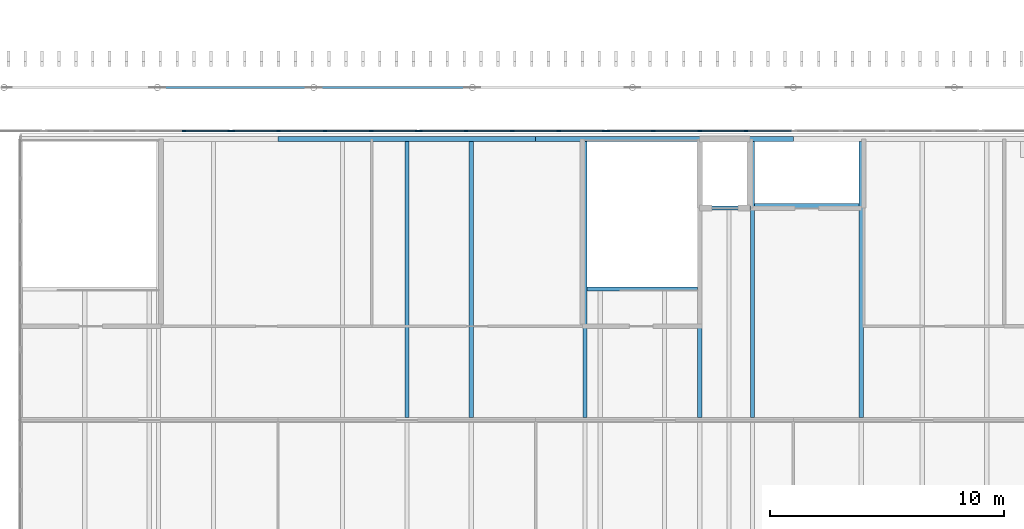
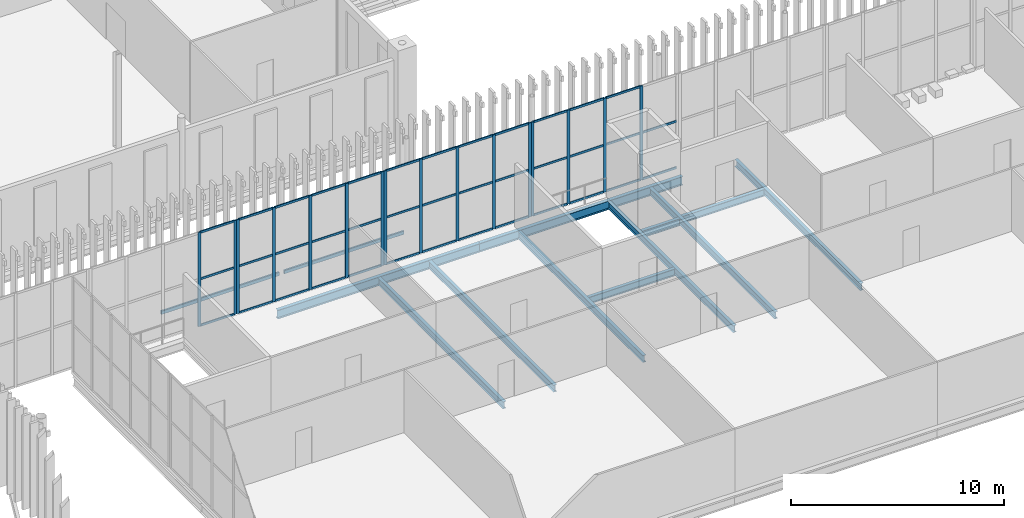
# One storey, part 67 of 170: 56 members, 11 beams, 4 elements without a shape of their own.
"""IFC4 building model written with IfcOpenShell, lengths in metres."""

from ifc_helpers import new_model, si_unit, direction, frame, origin, origin_2d, place, context, subcontext, project, spatial, rectangle, hollow_rectangle, i_section, extrude, material, layer, layer_set, material_profile, profile_set, type_object, element, aggregate, save


model = new_model("IFC4")

# Units and contexts
model_context = context("Model", 3, precision=1e-05, world=origin(), true_north=direction((0.0, 1.0)))
body_context = subcontext(model_context, "Body", "Model", "MODEL_VIEW")
ifc_project = project(units=[si_unit("LENGTHUNIT", "METRE"), si_unit("AREAUNIT", "SQUARE_METRE"), si_unit("VOLUMEUNIT", "CUBIC_METRE"), si_unit("PLANEANGLEUNIT", "RADIAN"), si_unit("MASSUNIT", "GRAM", prefix="KILO")], contexts=[model_context])

# Site, building, storey
site_placement = place(None, origin())
site = spatial("IfcSite", under=ifc_project, at=site_placement, CompositionType="ELEMENT")
building_placement = place(site_placement, origin())
building = spatial("IfcBuilding", under=site, at=building_placement, Name="Ravi Spectrum Wholesale Market", CompositionType="ELEMENT")
storey_placement = place(building_placement, frame((0.0, 0.0, 5.39990234375)))
storey = spatial("IfcBuildingStorey", under=building, at=storey_placement, Name="L01", CompositionType="ELEMENT", Elevation=5.39990234375)

# Beams
ifc_material_1 = material(Name="Steel S355", Category="steel")
ifc_material_profile_1 = material_profile(ifc_material_1, i_section(OverallWidth=0.179931640625, OverallDepth=0.39990234375, WebThickness=0.008544921875, FlangeThickness=0.013427734375, at=origin_2d()))
ifc_profile_set_1 = profile_set([ifc_material_profile_1], Name="Steel S355")
beam_type_1 = type_object("IfcBeamType", Name="IPE 400 beam", PredefinedType="BEAM", material=ifc_profile_set_1)
for number, where, z_axis, x_axis, name in (
    (1, (53.5, 183.10009765625, -0.449951171875), (0.0, 1.0, 0.0), (-1.0, 0.0, 0.0), "H1-BM-L01-034"),
    (2, (56.25, 183.10009765625, -0.449951171875), (0.0, 1.0, 0.0), (-1.0, 0.0, 0.0), "H1-BM-L01-036"),
    (3, (61.10009765625, 183.10009765625, -0.449951171875), (0.0, 1.0, 0.0), (-1.0, 0.0, 0.0), "H1-BM-L01-038"),
    (4, (66.0, 183.10009765625, -0.449951171875), (0.0, 1.0, 0.0), (-1.0, 0.0, 0.0), "H1-BM-L01-044"),
    (5, (68.25, 183.10009765625, -0.449951171875), (0.0, 1.0, 0.0), (-1.0, 0.0, 0.0), "H1-BM-L01-048"),
    (6, (72.89990234375, 183.10009765625, -0.449951171875), (0.0, 1.0, 0.0), (-1.0, 0.0, 0.0), "H1-BM-L01-050"),
):
    element("IfcBeam", number, at=place(storey_placement, frame(where, z_axis=z_axis, x_axis=x_axis)), inside=storey, type_object=beam_type_1, Name=name, PredefinedType="BEAM", context=body_context, shape_type="SweptSolid", body=[
        extrude(i_section(OverallWidth=0.179931640625, OverallDepth=0.39990234375, WebThickness=0.008544921875, FlangeThickness=0.013427734375, at=origin_2d()), origin(), (0.0, 0.0, 1.0), 11.7998046875),
    ])
beam_1_placement = place(storey_placement, frame((61.18994140625, 188.60009765625, -0.449951171875), z_axis=(1.0, 0.0, 0.0), x_axis=(0.0, 1.0, 0.0)))
element("IfcBeam", 7, at=beam_1_placement, inside=storey, type_object=beam_type_1, Name="H1-BM-L01-070", PredefinedType="BEAM", context=body_context, shape_type="SweptSolid", body=[
    extrude(i_section(OverallWidth=0.179931640625, OverallDepth=0.39990234375, WebThickness=0.008544921875, FlangeThickness=0.013427734375, at=origin_2d()), origin(), (0.0, 0.0, 1.0), 4.719970703125),
])
beam_2_placement = place(storey_placement, frame((66.090087890625, 192.050048828125, -0.449951171875), z_axis=(1.0, 0.0, 0.0), x_axis=(0.0, 1.0, 0.0)))
element("IfcBeam", 8, at=beam_2_placement, inside=storey, type_object=beam_type_1, Name="H1-BM-L01-071", PredefinedType="BEAM", context=body_context, shape_type="SweptSolid", body=[
    extrude(i_section(OverallWidth=0.179931640625, OverallDepth=0.39990234375, WebThickness=0.008544921875, FlangeThickness=0.013427734375, at=origin_2d()), origin(), (0.0, 0.0, 1.0), 2.06982421875),
])
beam_3_placement = place(storey_placement, frame((68.340087890625, 192.14990234375, -0.449951171875), z_axis=(1.0, 0.0, 0.0), x_axis=(0.0, 1.0, 0.0)))
element("IfcBeam", 9, at=beam_3_placement, inside=storey, type_object=beam_type_1, Name="H1-BM-L01-072", PredefinedType="BEAM", context=body_context, shape_type="SweptSolid", body=[
    extrude(i_section(OverallWidth=0.179931640625, OverallDepth=0.39990234375, WebThickness=0.008544921875, FlangeThickness=0.013427734375, at=origin_2d()), origin(), (0.0, 0.0, 1.0), 4.469970703125),
])
ifc_material_2 = material(Name="Steel S355", Category="steel")
ifc_material_profile_2 = material_profile(ifc_material_2, i_section(OverallWidth=0.199951171875, OverallDepth=0.5, WebThickness=0.01025390625, FlangeThickness=0.01611328125, at=origin_2d()))
ifc_profile_set_2 = profile_set([ifc_material_profile_2], Name="Steel S355")
beam_type_2 = type_object("IfcBeamType", Name="IPE 500 girder", PredefinedType="BEAM", material=ifc_profile_set_2)
for number, where, z_axis, x_axis, name in (
    (10, (48.0, 195.0, -0.5), (1.0, 0.0, 0.0), (0.0, 1.0, 0.0), "H1-BM-L01-014"),
    (11, (59.0, 195.0, -0.5), (1.0, 0.0, 0.0), (0.0, 1.0, 0.0), "H1-BM-L01-015"),
):
    element("IfcBeam", number, at=place(storey_placement, frame(where, z_axis=z_axis, x_axis=x_axis)), inside=storey, type_object=beam_type_2, Name=name, PredefinedType="BEAM", context=body_context, shape_type="SweptSolid", body=[
        extrude(i_section(OverallWidth=0.199951171875, OverallDepth=0.5, WebThickness=0.01025390625, FlangeThickness=0.01611328125, at=origin_2d()), origin(), (0.0, 0.0, 1.0), 11.0),
    ])

# Curtain wall, members
ifc_material_3 = material(Name="Aluminium 6063-T6", Category="aluminium")
ifc_layer = layer(ifc_material_3, 0.14990234375)
ifc_layer_set = layer_set([ifc_layer], Name="Aluminium 6063-T6")
curtain_wall_type = type_object("IfcCurtainWallType", Name="Curtain wall 150", PredefinedType="NOTDEFINED", material=ifc_layer_set)
curtain_wall_1_placement = place(storey_placement, origin())
curtain_wall_1 = element("IfcCurtainWall", 12, at=curtain_wall_1_placement, inside=storey, type_object=curtain_wall_type, Name="H1-CW-L01-054", PredefinedType="NOTDEFINED")
ifc_material_4 = material(Name="Aluminium 6063-T6", Category="aluminium")
ifc_material_profile_3 = material_profile(ifc_material_4, rectangle(XDim=0.06005859375, YDim=0.159912109375, at=origin_2d()))
ifc_profile_set_3 = profile_set([ifc_material_profile_3], Name="Aluminium 6063-T6")
member_type_1 = type_object("IfcMemberType", Name="Mullion 60 x 160", PredefinedType="MULLION", material=ifc_profile_set_3)
member_1_placement = place(storey_placement, frame((43.97998046875, 195.340087890625, 0.0), z_axis=(0.0, 0.0, 1.0), x_axis=(0.0, 1.0, 0.0)))
member_1 = element("IfcMember", 13, at=member_1_placement, type_object=member_type_1, Name="H1-CW-L01-054 mullion 4", PredefinedType="MULLION", context=body_context, shape_type="SweptSolid", body=[
    extrude(rectangle(XDim=0.06005859375, YDim=0.159912109375, at=origin_2d()), origin(), (0.0, 0.0, 1.0), 5.400146484375),
])
member_2_placement = place(storey_placement, frame((45.929931640625, 195.340087890625, 0.0), z_axis=(0.0, 0.0, 1.0), x_axis=(0.0, 1.0, 0.0)))
member_2 = element("IfcMember", 14, at=member_2_placement, type_object=member_type_1, Name="H1-CW-L01-054 mullion 5", PredefinedType="MULLION", context=body_context, shape_type="SweptSolid", body=[
    extrude(rectangle(XDim=0.06005859375, YDim=0.159912109375, at=origin_2d()), origin(), (0.0, 0.0, 1.0), 5.400146484375),
])

curtain_wall_2_placement = place(storey_placement, origin())
curtain_wall_2 = element("IfcCurtainWall", 15, at=curtain_wall_2_placement, inside=storey, type_object=curtain_wall_type, Name="H1-CW-L01-055", PredefinedType="NOTDEFINED")
member_3_placement = place(storey_placement, frame((46.070068359375, 195.340087890625, 0.0), z_axis=(0.0, 0.0, 1.0), x_axis=(0.0, 1.0, 0.0)))
member_3 = element("IfcMember", 16, at=member_3_placement, type_object=member_type_1, Name="H1-CW-L01-055 mullion 1", PredefinedType="MULLION", context=body_context, shape_type="SweptSolid", body=[
    extrude(rectangle(XDim=0.06005859375, YDim=0.159912109375, at=origin_2d()), origin(), (0.0, 0.0, 1.0), 5.400146484375),
])
member_4_placement = place(storey_placement, frame((48.02001953125, 195.340087890625, 0.0), z_axis=(0.0, 0.0, 1.0), x_axis=(0.0, 1.0, 0.0)))
member_4 = element("IfcMember", 17, at=member_4_placement, type_object=member_type_1, Name="H1-CW-L01-055 mullion 2", PredefinedType="MULLION", context=body_context, shape_type="SweptSolid", body=[
    extrude(rectangle(XDim=0.06005859375, YDim=0.159912109375, at=origin_2d()), origin(), (0.0, 0.0, 1.0), 5.400146484375),
])
member_5_placement = place(storey_placement, frame((50.0, 195.340087890625, 0.0), z_axis=(0.0, 0.0, 1.0), x_axis=(0.0, 1.0, 0.0)))
member_5 = element("IfcMember", 18, at=member_5_placement, type_object=member_type_1, Name="H1-CW-L01-055 mullion 3", PredefinedType="MULLION", context=body_context, shape_type="SweptSolid", body=[
    extrude(rectangle(XDim=0.06005859375, YDim=0.159912109375, at=origin_2d()), origin(), (0.0, 0.0, 1.0), 5.400146484375),
])
member_6_placement = place(storey_placement, frame((51.97998046875, 195.340087890625, 0.0), z_axis=(0.0, 0.0, 1.0), x_axis=(0.0, 1.0, 0.0)))
member_6 = element("IfcMember", 19, at=member_6_placement, type_object=member_type_1, Name="H1-CW-L01-055 mullion 4", PredefinedType="MULLION", context=body_context, shape_type="SweptSolid", body=[
    extrude(rectangle(XDim=0.06005859375, YDim=0.159912109375, at=origin_2d()), origin(), (0.0, 0.0, 1.0), 5.400146484375),
])
member_7_placement = place(storey_placement, frame((53.929931640625, 195.340087890625, 0.0), z_axis=(0.0, 0.0, 1.0), x_axis=(0.0, 1.0, 0.0)))
member_7 = element("IfcMember", 20, at=member_7_placement, type_object=member_type_1, Name="H1-CW-L01-055 mullion 5", PredefinedType="MULLION", context=body_context, shape_type="SweptSolid", body=[
    extrude(rectangle(XDim=0.06005859375, YDim=0.159912109375, at=origin_2d()), origin(), (0.0, 0.0, 1.0), 5.400146484375),
])

curtain_wall_3_placement = place(storey_placement, origin())
curtain_wall_3 = element("IfcCurtainWall", 21, at=curtain_wall_3_placement, inside=storey, type_object=curtain_wall_type, Name="H1-CW-L01-056", PredefinedType="NOTDEFINED")
member_8_placement = place(storey_placement, frame((54.070068359375, 195.340087890625, 0.0), z_axis=(0.0, 0.0, 1.0), x_axis=(0.0, 1.0, 0.0)))
member_8 = element("IfcMember", 22, at=member_8_placement, type_object=member_type_1, Name="H1-CW-L01-056 mullion 1", PredefinedType="MULLION", context=body_context, shape_type="SweptSolid", body=[
    extrude(rectangle(XDim=0.06005859375, YDim=0.159912109375, at=origin_2d()), origin(), (0.0, 0.0, 1.0), 5.400146484375),
])
member_9_placement = place(storey_placement, frame((56.02001953125, 195.340087890625, 0.0), z_axis=(0.0, 0.0, 1.0), x_axis=(0.0, 1.0, 0.0)))
member_9 = element("IfcMember", 23, at=member_9_placement, type_object=member_type_1, Name="H1-CW-L01-056 mullion 2", PredefinedType="MULLION", context=body_context, shape_type="SweptSolid", body=[
    extrude(rectangle(XDim=0.06005859375, YDim=0.159912109375, at=origin_2d()), origin(), (0.0, 0.0, 1.0), 5.400146484375),
])
member_10_placement = place(storey_placement, frame((58.0, 195.340087890625, 0.0), z_axis=(0.0, 0.0, 1.0), x_axis=(0.0, 1.0, 0.0)))
member_10 = element("IfcMember", 24, at=member_10_placement, type_object=member_type_1, Name="H1-CW-L01-056 mullion 3", PredefinedType="MULLION", context=body_context, shape_type="SweptSolid", body=[
    extrude(rectangle(XDim=0.06005859375, YDim=0.159912109375, at=origin_2d()), origin(), (0.0, 0.0, 1.0), 5.400146484375),
])
member_11_placement = place(storey_placement, frame((59.97998046875, 195.340087890625, 0.0), z_axis=(0.0, 0.0, 1.0), x_axis=(0.0, 1.0, 0.0)))
member_11 = element("IfcMember", 25, at=member_11_placement, type_object=member_type_1, Name="H1-CW-L01-056 mullion 4", PredefinedType="MULLION", context=body_context, shape_type="SweptSolid", body=[
    extrude(rectangle(XDim=0.06005859375, YDim=0.159912109375, at=origin_2d()), origin(), (0.0, 0.0, 1.0), 5.400146484375),
])
member_12_placement = place(storey_placement, frame((61.929931640625, 195.340087890625, 0.0), z_axis=(0.0, 0.0, 1.0), x_axis=(0.0, 1.0, 0.0)))
member_12 = element("IfcMember", 26, at=member_12_placement, type_object=member_type_1, Name="H1-CW-L01-056 mullion 5", PredefinedType="MULLION", context=body_context, shape_type="SweptSolid", body=[
    extrude(rectangle(XDim=0.06005859375, YDim=0.159912109375, at=origin_2d()), origin(), (0.0, 0.0, 1.0), 5.400146484375),
])

curtain_wall_4_placement = place(storey_placement, origin())
curtain_wall_4 = element("IfcCurtainWall", 27, at=curtain_wall_4_placement, inside=storey, type_object=curtain_wall_type, Name="H1-CW-L01-057", PredefinedType="NOTDEFINED")
member_13_placement = place(storey_placement, frame((62.070068359375, 195.340087890625, 0.0), z_axis=(0.0, 0.0, 1.0), x_axis=(0.0, 1.0, 0.0)))
member_13 = element("IfcMember", 28, at=member_13_placement, type_object=member_type_1, Name="H1-CW-L01-057 mullion 1", PredefinedType="MULLION", context=body_context, shape_type="SweptSolid", body=[
    extrude(rectangle(XDim=0.06005859375, YDim=0.159912109375, at=origin_2d()), origin(), (0.0, 0.0, 1.0), 5.400146484375),
])
member_14_placement = place(storey_placement, frame((64.02001953125, 195.340087890625, 0.0), z_axis=(0.0, 0.0, 1.0), x_axis=(0.0, 1.0, 0.0)))
member_14 = element("IfcMember", 29, at=member_14_placement, type_object=member_type_1, Name="H1-CW-L01-057 mullion 2", PredefinedType="MULLION", context=body_context, shape_type="SweptSolid", body=[
    extrude(rectangle(XDim=0.06005859375, YDim=0.159912109375, at=origin_2d()), origin(), (0.0, 0.0, 1.0), 5.400146484375),
])
member_15_placement = place(storey_placement, frame((66.0, 195.340087890625, 0.0), z_axis=(0.0, 0.0, 1.0), x_axis=(0.0, 1.0, 0.0)))
member_15 = element("IfcMember", 30, at=member_15_placement, type_object=member_type_1, Name="H1-CW-L01-057 mullion 3", PredefinedType="MULLION", context=body_context, shape_type="SweptSolid", body=[
    extrude(rectangle(XDim=0.06005859375, YDim=0.159912109375, at=origin_2d()), origin(), (0.0, 0.0, 1.0), 5.400146484375),
])
member_16_placement = place(storey_placement, frame((67.97998046875, 195.340087890625, 0.0), z_axis=(0.0, 0.0, 1.0), x_axis=(0.0, 1.0, 0.0)))
member_16 = element("IfcMember", 31, at=member_16_placement, type_object=member_type_1, Name="H1-CW-L01-057 mullion 4", PredefinedType="MULLION", context=body_context, shape_type="SweptSolid", body=[
    extrude(rectangle(XDim=0.06005859375, YDim=0.159912109375, at=origin_2d()), origin(), (0.0, 0.0, 1.0), 5.400146484375),
])

# Members
ifc_material_5 = material(Name="Steel S355", Category="steel")
ifc_material_profile_4 = material_profile(ifc_material_5, hollow_rectangle(XDim=0.10009765625, YDim=0.199951171875, WallThickness=0.00634765625, InnerFilletRadius=0.00634765625, OuterFilletRadius=0.0126953125, at=origin_2d()))
ifc_profile_set_4 = profile_set([ifc_material_profile_4], Name="Steel S355")
member_type_2 = type_object("IfcMemberType", Name="RHS 200x100x6.3 strut", PredefinedType="STRUT", material=ifc_profile_set_4)
member_17_placement = place(storey_placement, frame((42.984375, 197.199951171875, 0.0), z_axis=(1.0, 0.0, 0.0), x_axis=(0.0, 1.0, 0.0)))
element("IfcMember", 32, at=member_17_placement, inside=storey, type_object=member_type_2, Name="H1-MB-L01-026", PredefinedType="STRUT", context=body_context, shape_type="SweptSolid", body=[
    extrude(hollow_rectangle(XDim=0.10009765625, YDim=0.199951171875, WallThickness=0.00634765625, InnerFilletRadius=0.00634765625, OuterFilletRadius=0.0126953125, at=origin_2d()), origin(), (0.0, 0.0, 1.0), 6.401123046875),
])
member_18_placement = place(storey_placement, frame((49.658447265625, 197.199951171875, 0.0), z_axis=(1.0, 0.0, 0.0), x_axis=(0.0, 1.0, 0.0)))
element("IfcMember", 33, at=member_18_placement, inside=storey, type_object=member_type_2, Name="H1-MB-L01-027", PredefinedType="STRUT", context=body_context, shape_type="SweptSolid", body=[
    extrude(hollow_rectangle(XDim=0.10009765625, YDim=0.199951171875, WallThickness=0.00634765625, InnerFilletRadius=0.00634765625, OuterFilletRadius=0.0126953125, at=origin_2d()), origin(), (0.0, 0.0, 1.0), 6.498779296875),
])

# Member
ifc_material_6 = material(Name="Aluminium 6063-T6", Category="aluminium")
ifc_material_profile_5 = material_profile(ifc_material_6, rectangle(XDim=0.06005859375, YDim=0.1201171875, at=origin_2d()))
ifc_profile_set_5 = profile_set([ifc_material_profile_5], Name="Aluminium 6063-T6")
member_type_3 = type_object("IfcMemberType", Name="Transom 60 x 120", PredefinedType="USERDEFINED", material=ifc_profile_set_5)
member_19_placement = place(storey_placement, frame((44.010009765625, 195.340087890625, 0.030029296875), z_axis=(1.0, 0.0, 0.0), x_axis=(0.0, 1.0, 0.0)))
member_19 = element("IfcMember", 34, at=member_19_placement, type_object=member_type_3, Name="H1-CW-L01-054 transom 4.1", ObjectType="TRANSOM", PredefinedType="USERDEFINED", context=body_context, shape_type="SweptSolid", body=[
    extrude(rectangle(XDim=0.06005859375, YDim=0.1201171875, at=origin_2d()), origin(), (0.0, 0.0, 1.0), 1.889892578125),
])

member_20_placement = place(storey_placement, frame((44.010009765625, 195.340087890625, 2.7001953125), z_axis=(1.0, 0.0, 0.0), x_axis=(0.0, 1.0, 0.0)))
member_20 = element("IfcMember", 35, at=member_20_placement, type_object=member_type_3, Name="H1-CW-L01-054 transom 4.2", ObjectType="TRANSOM", PredefinedType="USERDEFINED", context=body_context, shape_type="SweptSolid", body=[
    extrude(rectangle(XDim=0.06005859375, YDim=0.1201171875, at=origin_2d()), origin(), (0.0, 0.0, 1.0), 1.889892578125),
])

member_21_placement = place(storey_placement, frame((44.010009765625, 195.340087890625, 5.3701171875), z_axis=(1.0, 0.0, 0.0), x_axis=(0.0, 1.0, 0.0)))
member_21 = element("IfcMember", 36, at=member_21_placement, type_object=member_type_3, Name="H1-CW-L01-054 transom 4.3", ObjectType="TRANSOM", PredefinedType="USERDEFINED", context=body_context, shape_type="SweptSolid", body=[
    extrude(rectangle(XDim=0.06005859375, YDim=0.1201171875, at=origin_2d()), origin(), (0.0, 0.0, 1.0), 1.889892578125),
])

aggregate(curtain_wall_1, [member_1, member_2, member_19, member_20, member_21])

member_22_placement = place(storey_placement, frame((46.10009765625, 195.340087890625, 0.030029296875), z_axis=(1.0, 0.0, 0.0), x_axis=(0.0, 1.0, 0.0)))
member_22 = element("IfcMember", 37, at=member_22_placement, type_object=member_type_3, Name="H1-CW-L01-055 transom 1.1", ObjectType="TRANSOM", PredefinedType="USERDEFINED", context=body_context, shape_type="SweptSolid", body=[
    extrude(rectangle(XDim=0.06005859375, YDim=0.1201171875, at=origin_2d()), origin(), (0.0, 0.0, 1.0), 1.889892578125),
])

member_23_placement = place(storey_placement, frame((46.10009765625, 195.340087890625, 2.7001953125), z_axis=(1.0, 0.0, 0.0), x_axis=(0.0, 1.0, 0.0)))
member_23 = element("IfcMember", 38, at=member_23_placement, type_object=member_type_3, Name="H1-CW-L01-055 transom 1.2", ObjectType="TRANSOM", PredefinedType="USERDEFINED", context=body_context, shape_type="SweptSolid", body=[
    extrude(rectangle(XDim=0.06005859375, YDim=0.1201171875, at=origin_2d()), origin(), (0.0, 0.0, 1.0), 1.889892578125),
])

member_24_placement = place(storey_placement, frame((46.10009765625, 195.340087890625, 5.3701171875), z_axis=(1.0, 0.0, 0.0), x_axis=(0.0, 1.0, 0.0)))
member_24 = element("IfcMember", 39, at=member_24_placement, type_object=member_type_3, Name="H1-CW-L01-055 transom 1.3", ObjectType="TRANSOM", PredefinedType="USERDEFINED", context=body_context, shape_type="SweptSolid", body=[
    extrude(rectangle(XDim=0.06005859375, YDim=0.1201171875, at=origin_2d()), origin(), (0.0, 0.0, 1.0), 1.889892578125),
])

member_25_placement = place(storey_placement, frame((48.050048828125, 195.340087890625, 0.030029296875), z_axis=(1.0, 0.0, 0.0), x_axis=(0.0, 1.0, 0.0)))
member_25 = element("IfcMember", 40, at=member_25_placement, type_object=member_type_3, Name="H1-CW-L01-055 transom 2.1", ObjectType="TRANSOM", PredefinedType="USERDEFINED", context=body_context, shape_type="SweptSolid", body=[
    extrude(rectangle(XDim=0.06005859375, YDim=0.1201171875, at=origin_2d()), origin(), (0.0, 0.0, 1.0), 1.919921875),
])

member_26_placement = place(storey_placement, frame((48.050048828125, 195.340087890625, 2.7001953125), z_axis=(1.0, 0.0, 0.0), x_axis=(0.0, 1.0, 0.0)))
member_26 = element("IfcMember", 41, at=member_26_placement, type_object=member_type_3, Name="H1-CW-L01-055 transom 2.2", ObjectType="TRANSOM", PredefinedType="USERDEFINED", context=body_context, shape_type="SweptSolid", body=[
    extrude(rectangle(XDim=0.06005859375, YDim=0.1201171875, at=origin_2d()), origin(), (0.0, 0.0, 1.0), 1.919921875),
])

member_27_placement = place(storey_placement, frame((48.050048828125, 195.340087890625, 5.3701171875), z_axis=(1.0, 0.0, 0.0), x_axis=(0.0, 1.0, 0.0)))
member_27 = element("IfcMember", 42, at=member_27_placement, type_object=member_type_3, Name="H1-CW-L01-055 transom 2.3", ObjectType="TRANSOM", PredefinedType="USERDEFINED", context=body_context, shape_type="SweptSolid", body=[
    extrude(rectangle(XDim=0.06005859375, YDim=0.1201171875, at=origin_2d()), origin(), (0.0, 0.0, 1.0), 1.919921875),
])

member_28_placement = place(storey_placement, frame((50.030029296875, 195.340087890625, 0.030029296875), z_axis=(1.0, 0.0, 0.0), x_axis=(0.0, 1.0, 0.0)))
member_28 = element("IfcMember", 43, at=member_28_placement, type_object=member_type_3, Name="H1-CW-L01-055 transom 3.1", ObjectType="TRANSOM", PredefinedType="USERDEFINED", context=body_context, shape_type="SweptSolid", body=[
    extrude(rectangle(XDim=0.06005859375, YDim=0.1201171875, at=origin_2d()), origin(), (0.0, 0.0, 1.0), 1.919921875),
])

member_29_placement = place(storey_placement, frame((50.030029296875, 195.340087890625, 2.7001953125), z_axis=(1.0, 0.0, 0.0), x_axis=(0.0, 1.0, 0.0)))
member_29 = element("IfcMember", 44, at=member_29_placement, type_object=member_type_3, Name="H1-CW-L01-055 transom 3.2", ObjectType="TRANSOM", PredefinedType="USERDEFINED", context=body_context, shape_type="SweptSolid", body=[
    extrude(rectangle(XDim=0.06005859375, YDim=0.1201171875, at=origin_2d()), origin(), (0.0, 0.0, 1.0), 1.919921875),
])

member_30_placement = place(storey_placement, frame((50.030029296875, 195.340087890625, 5.3701171875), z_axis=(1.0, 0.0, 0.0), x_axis=(0.0, 1.0, 0.0)))
member_30 = element("IfcMember", 45, at=member_30_placement, type_object=member_type_3, Name="H1-CW-L01-055 transom 3.3", ObjectType="TRANSOM", PredefinedType="USERDEFINED", context=body_context, shape_type="SweptSolid", body=[
    extrude(rectangle(XDim=0.06005859375, YDim=0.1201171875, at=origin_2d()), origin(), (0.0, 0.0, 1.0), 1.919921875),
])

member_31_placement = place(storey_placement, frame((52.010009765625, 195.340087890625, 0.030029296875), z_axis=(1.0, 0.0, 0.0), x_axis=(0.0, 1.0, 0.0)))
member_31 = element("IfcMember", 46, at=member_31_placement, type_object=member_type_3, Name="H1-CW-L01-055 transom 4.1", ObjectType="TRANSOM", PredefinedType="USERDEFINED", context=body_context, shape_type="SweptSolid", body=[
    extrude(rectangle(XDim=0.06005859375, YDim=0.1201171875, at=origin_2d()), origin(), (0.0, 0.0, 1.0), 1.889892578125),
])

member_32_placement = place(storey_placement, frame((52.010009765625, 195.340087890625, 2.7001953125), z_axis=(1.0, 0.0, 0.0), x_axis=(0.0, 1.0, 0.0)))
member_32 = element("IfcMember", 47, at=member_32_placement, type_object=member_type_3, Name="H1-CW-L01-055 transom 4.2", ObjectType="TRANSOM", PredefinedType="USERDEFINED", context=body_context, shape_type="SweptSolid", body=[
    extrude(rectangle(XDim=0.06005859375, YDim=0.1201171875, at=origin_2d()), origin(), (0.0, 0.0, 1.0), 1.889892578125),
])

member_33_placement = place(storey_placement, frame((52.010009765625, 195.340087890625, 5.3701171875), z_axis=(1.0, 0.0, 0.0), x_axis=(0.0, 1.0, 0.0)))
member_33 = element("IfcMember", 48, at=member_33_placement, type_object=member_type_3, Name="H1-CW-L01-055 transom 4.3", ObjectType="TRANSOM", PredefinedType="USERDEFINED", context=body_context, shape_type="SweptSolid", body=[
    extrude(rectangle(XDim=0.06005859375, YDim=0.1201171875, at=origin_2d()), origin(), (0.0, 0.0, 1.0), 1.889892578125),
])

aggregate(curtain_wall_2, [member_3, member_4, member_5, member_6, member_7, member_22, member_23, member_24, member_25, member_26, member_27, member_28, member_29, member_30, member_31, member_32, member_33])

member_34_placement = place(storey_placement, frame((54.10009765625, 195.340087890625, 0.030029296875), z_axis=(1.0, 0.0, 0.0), x_axis=(0.0, 1.0, 0.0)))
member_34 = element("IfcMember", 49, at=member_34_placement, type_object=member_type_3, Name="H1-CW-L01-056 transom 1.1", ObjectType="TRANSOM", PredefinedType="USERDEFINED", context=body_context, shape_type="SweptSolid", body=[
    extrude(rectangle(XDim=0.06005859375, YDim=0.1201171875, at=origin_2d()), origin(), (0.0, 0.0, 1.0), 1.889892578125),
])

member_35_placement = place(storey_placement, frame((54.10009765625, 195.340087890625, 2.7001953125), z_axis=(1.0, 0.0, 0.0), x_axis=(0.0, 1.0, 0.0)))
member_35 = element("IfcMember", 50, at=member_35_placement, type_object=member_type_3, Name="H1-CW-L01-056 transom 1.2", ObjectType="TRANSOM", PredefinedType="USERDEFINED", context=body_context, shape_type="SweptSolid", body=[
    extrude(rectangle(XDim=0.06005859375, YDim=0.1201171875, at=origin_2d()), origin(), (0.0, 0.0, 1.0), 1.889892578125),
])

member_36_placement = place(storey_placement, frame((54.10009765625, 195.340087890625, 5.3701171875), z_axis=(1.0, 0.0, 0.0), x_axis=(0.0, 1.0, 0.0)))
member_36 = element("IfcMember", 51, at=member_36_placement, type_object=member_type_3, Name="H1-CW-L01-056 transom 1.3", ObjectType="TRANSOM", PredefinedType="USERDEFINED", context=body_context, shape_type="SweptSolid", body=[
    extrude(rectangle(XDim=0.06005859375, YDim=0.1201171875, at=origin_2d()), origin(), (0.0, 0.0, 1.0), 1.889892578125),
])

member_37_placement = place(storey_placement, frame((56.050048828125, 195.340087890625, 0.030029296875), z_axis=(1.0, 0.0, 0.0), x_axis=(0.0, 1.0, 0.0)))
member_37 = element("IfcMember", 52, at=member_37_placement, type_object=member_type_3, Name="H1-CW-L01-056 transom 2.1", ObjectType="TRANSOM", PredefinedType="USERDEFINED", context=body_context, shape_type="SweptSolid", body=[
    extrude(rectangle(XDim=0.06005859375, YDim=0.1201171875, at=origin_2d()), origin(), (0.0, 0.0, 1.0), 1.919921875),
])

member_38_placement = place(storey_placement, frame((56.050048828125, 195.340087890625, 2.7001953125), z_axis=(1.0, 0.0, 0.0), x_axis=(0.0, 1.0, 0.0)))
member_38 = element("IfcMember", 53, at=member_38_placement, type_object=member_type_3, Name="H1-CW-L01-056 transom 2.2", ObjectType="TRANSOM", PredefinedType="USERDEFINED", context=body_context, shape_type="SweptSolid", body=[
    extrude(rectangle(XDim=0.06005859375, YDim=0.1201171875, at=origin_2d()), origin(), (0.0, 0.0, 1.0), 1.919921875),
])

member_39_placement = place(storey_placement, frame((56.050048828125, 195.340087890625, 5.3701171875), z_axis=(1.0, 0.0, 0.0), x_axis=(0.0, 1.0, 0.0)))
member_39 = element("IfcMember", 54, at=member_39_placement, type_object=member_type_3, Name="H1-CW-L01-056 transom 2.3", ObjectType="TRANSOM", PredefinedType="USERDEFINED", context=body_context, shape_type="SweptSolid", body=[
    extrude(rectangle(XDim=0.06005859375, YDim=0.1201171875, at=origin_2d()), origin(), (0.0, 0.0, 1.0), 1.919921875),
])

member_40_placement = place(storey_placement, frame((58.030029296875, 195.340087890625, 0.030029296875), z_axis=(1.0, 0.0, 0.0), x_axis=(0.0, 1.0, 0.0)))
member_40 = element("IfcMember", 55, at=member_40_placement, type_object=member_type_3, Name="H1-CW-L01-056 transom 3.1", ObjectType="TRANSOM", PredefinedType="USERDEFINED", context=body_context, shape_type="SweptSolid", body=[
    extrude(rectangle(XDim=0.06005859375, YDim=0.1201171875, at=origin_2d()), origin(), (0.0, 0.0, 1.0), 1.919921875),
])

member_41_placement = place(storey_placement, frame((58.030029296875, 195.340087890625, 2.7001953125), z_axis=(1.0, 0.0, 0.0), x_axis=(0.0, 1.0, 0.0)))
member_41 = element("IfcMember", 56, at=member_41_placement, type_object=member_type_3, Name="H1-CW-L01-056 transom 3.2", ObjectType="TRANSOM", PredefinedType="USERDEFINED", context=body_context, shape_type="SweptSolid", body=[
    extrude(rectangle(XDim=0.06005859375, YDim=0.1201171875, at=origin_2d()), origin(), (0.0, 0.0, 1.0), 1.919921875),
])

member_42_placement = place(storey_placement, frame((58.030029296875, 195.340087890625, 5.3701171875), z_axis=(1.0, 0.0, 0.0), x_axis=(0.0, 1.0, 0.0)))
member_42 = element("IfcMember", 57, at=member_42_placement, type_object=member_type_3, Name="H1-CW-L01-056 transom 3.3", ObjectType="TRANSOM", PredefinedType="USERDEFINED", context=body_context, shape_type="SweptSolid", body=[
    extrude(rectangle(XDim=0.06005859375, YDim=0.1201171875, at=origin_2d()), origin(), (0.0, 0.0, 1.0), 1.919921875),
])

member_43_placement = place(storey_placement, frame((60.010009765625, 195.340087890625, 0.030029296875), z_axis=(1.0, 0.0, 0.0), x_axis=(0.0, 1.0, 0.0)))
member_43 = element("IfcMember", 58, at=member_43_placement, type_object=member_type_3, Name="H1-CW-L01-056 transom 4.1", ObjectType="TRANSOM", PredefinedType="USERDEFINED", context=body_context, shape_type="SweptSolid", body=[
    extrude(rectangle(XDim=0.06005859375, YDim=0.1201171875, at=origin_2d()), origin(), (0.0, 0.0, 1.0), 1.889892578125),
])

member_44_placement = place(storey_placement, frame((60.010009765625, 195.340087890625, 2.7001953125), z_axis=(1.0, 0.0, 0.0), x_axis=(0.0, 1.0, 0.0)))
member_44 = element("IfcMember", 59, at=member_44_placement, type_object=member_type_3, Name="H1-CW-L01-056 transom 4.2", ObjectType="TRANSOM", PredefinedType="USERDEFINED", context=body_context, shape_type="SweptSolid", body=[
    extrude(rectangle(XDim=0.06005859375, YDim=0.1201171875, at=origin_2d()), origin(), (0.0, 0.0, 1.0), 1.889892578125),
])

member_45_placement = place(storey_placement, frame((60.010009765625, 195.340087890625, 5.3701171875), z_axis=(1.0, 0.0, 0.0), x_axis=(0.0, 1.0, 0.0)))
member_45 = element("IfcMember", 60, at=member_45_placement, type_object=member_type_3, Name="H1-CW-L01-056 transom 4.3", ObjectType="TRANSOM", PredefinedType="USERDEFINED", context=body_context, shape_type="SweptSolid", body=[
    extrude(rectangle(XDim=0.06005859375, YDim=0.1201171875, at=origin_2d()), origin(), (0.0, 0.0, 1.0), 1.889892578125),
])

aggregate(curtain_wall_3, [member_8, member_9, member_10, member_11, member_12, member_34, member_35, member_36, member_37, member_38, member_39, member_40, member_41, member_42, member_43, member_44, member_45])

member_46_placement = place(storey_placement, frame((62.10009765625, 195.340087890625, 0.030029296875), z_axis=(1.0, 0.0, 0.0), x_axis=(0.0, 1.0, 0.0)))
member_46 = element("IfcMember", 61, at=member_46_placement, type_object=member_type_3, Name="H1-CW-L01-057 transom 1.1", ObjectType="TRANSOM", PredefinedType="USERDEFINED", context=body_context, shape_type="SweptSolid", body=[
    extrude(rectangle(XDim=0.06005859375, YDim=0.1201171875, at=origin_2d()), origin(), (0.0, 0.0, 1.0), 1.889892578125),
])

member_47_placement = place(storey_placement, frame((62.10009765625, 195.340087890625, 2.7001953125), z_axis=(1.0, 0.0, 0.0), x_axis=(0.0, 1.0, 0.0)))
member_47 = element("IfcMember", 62, at=member_47_placement, type_object=member_type_3, Name="H1-CW-L01-057 transom 1.2", ObjectType="TRANSOM", PredefinedType="USERDEFINED", context=body_context, shape_type="SweptSolid", body=[
    extrude(rectangle(XDim=0.06005859375, YDim=0.1201171875, at=origin_2d()), origin(), (0.0, 0.0, 1.0), 1.889892578125),
])

member_48_placement = place(storey_placement, frame((62.10009765625, 195.340087890625, 5.3701171875), z_axis=(1.0, 0.0, 0.0), x_axis=(0.0, 1.0, 0.0)))
member_48 = element("IfcMember", 63, at=member_48_placement, type_object=member_type_3, Name="H1-CW-L01-057 transom 1.3", ObjectType="TRANSOM", PredefinedType="USERDEFINED", context=body_context, shape_type="SweptSolid", body=[
    extrude(rectangle(XDim=0.06005859375, YDim=0.1201171875, at=origin_2d()), origin(), (0.0, 0.0, 1.0), 1.889892578125),
])

member_49_placement = place(storey_placement, frame((64.050048828125, 195.340087890625, 0.030029296875), z_axis=(1.0, 0.0, 0.0), x_axis=(0.0, 1.0, 0.0)))
member_49 = element("IfcMember", 64, at=member_49_placement, type_object=member_type_3, Name="H1-CW-L01-057 transom 2.1", ObjectType="TRANSOM", PredefinedType="USERDEFINED", context=body_context, shape_type="SweptSolid", body=[
    extrude(rectangle(XDim=0.06005859375, YDim=0.1201171875, at=origin_2d()), origin(), (0.0, 0.0, 1.0), 1.919921875),
])

member_50_placement = place(storey_placement, frame((64.050048828125, 195.340087890625, 2.7001953125), z_axis=(1.0, 0.0, 0.0), x_axis=(0.0, 1.0, 0.0)))
member_50 = element("IfcMember", 65, at=member_50_placement, type_object=member_type_3, Name="H1-CW-L01-057 transom 2.2", ObjectType="TRANSOM", PredefinedType="USERDEFINED", context=body_context, shape_type="SweptSolid", body=[
    extrude(rectangle(XDim=0.06005859375, YDim=0.1201171875, at=origin_2d()), origin(), (0.0, 0.0, 1.0), 1.919921875),
])

member_51_placement = place(storey_placement, frame((64.050048828125, 195.340087890625, 5.3701171875), z_axis=(1.0, 0.0, 0.0), x_axis=(0.0, 1.0, 0.0)))
member_51 = element("IfcMember", 66, at=member_51_placement, type_object=member_type_3, Name="H1-CW-L01-057 transom 2.3", ObjectType="TRANSOM", PredefinedType="USERDEFINED", context=body_context, shape_type="SweptSolid", body=[
    extrude(rectangle(XDim=0.06005859375, YDim=0.1201171875, at=origin_2d()), origin(), (0.0, 0.0, 1.0), 1.919921875),
])

member_52_placement = place(storey_placement, frame((66.030029296875, 195.340087890625, 0.030029296875), z_axis=(1.0, 0.0, 0.0), x_axis=(0.0, 1.0, 0.0)))
member_52 = element("IfcMember", 67, at=member_52_placement, type_object=member_type_3, Name="H1-CW-L01-057 transom 3.1", ObjectType="TRANSOM", PredefinedType="USERDEFINED", context=body_context, shape_type="SweptSolid", body=[
    extrude(rectangle(XDim=0.06005859375, YDim=0.1201171875, at=origin_2d()), origin(), (0.0, 0.0, 1.0), 1.919921875),
])

member_53_placement = place(storey_placement, frame((66.030029296875, 195.340087890625, 2.7001953125), z_axis=(1.0, 0.0, 0.0), x_axis=(0.0, 1.0, 0.0)))
member_53 = element("IfcMember", 68, at=member_53_placement, type_object=member_type_3, Name="H1-CW-L01-057 transom 3.2", ObjectType="TRANSOM", PredefinedType="USERDEFINED", context=body_context, shape_type="SweptSolid", body=[
    extrude(rectangle(XDim=0.06005859375, YDim=0.1201171875, at=origin_2d()), origin(), (0.0, 0.0, 1.0), 1.919921875),
])

member_54_placement = place(storey_placement, frame((66.030029296875, 195.340087890625, 5.3701171875), z_axis=(1.0, 0.0, 0.0), x_axis=(0.0, 1.0, 0.0)))
member_54 = element("IfcMember", 69, at=member_54_placement, type_object=member_type_3, Name="H1-CW-L01-057 transom 3.3", ObjectType="TRANSOM", PredefinedType="USERDEFINED", context=body_context, shape_type="SweptSolid", body=[
    extrude(rectangle(XDim=0.06005859375, YDim=0.1201171875, at=origin_2d()), origin(), (0.0, 0.0, 1.0), 1.919921875),
])

member_55_placement = place(storey_placement, frame((68.010009765625, 195.340087890625, 0.030029296875), z_axis=(1.0, 0.0, 0.0), x_axis=(0.0, 1.0, 0.0)))
member_55 = element("IfcMember", 70, at=member_55_placement, type_object=member_type_3, Name="H1-CW-L01-057 transom 4.1", ObjectType="TRANSOM", PredefinedType="USERDEFINED", context=body_context, shape_type="SweptSolid", body=[
    extrude(rectangle(XDim=0.06005859375, YDim=0.1201171875, at=origin_2d()), origin(), (0.0, 0.0, 1.0), 1.889892578125),
])

member_56_placement = place(storey_placement, frame((68.010009765625, 195.340087890625, 2.7001953125), z_axis=(1.0, 0.0, 0.0), x_axis=(0.0, 1.0, 0.0)))
member_56 = element("IfcMember", 71, at=member_56_placement, type_object=member_type_3, Name="H1-CW-L01-057 transom 4.2", ObjectType="TRANSOM", PredefinedType="USERDEFINED", context=body_context, shape_type="SweptSolid", body=[
    extrude(rectangle(XDim=0.06005859375, YDim=0.1201171875, at=origin_2d()), origin(), (0.0, 0.0, 1.0), 1.889892578125),
])

aggregate(curtain_wall_4, [member_13, member_14, member_15, member_16, member_46, member_47, member_48, member_49, member_50, member_51, member_52, member_53, member_54, member_55, member_56])

save(model, "model.ifc")
